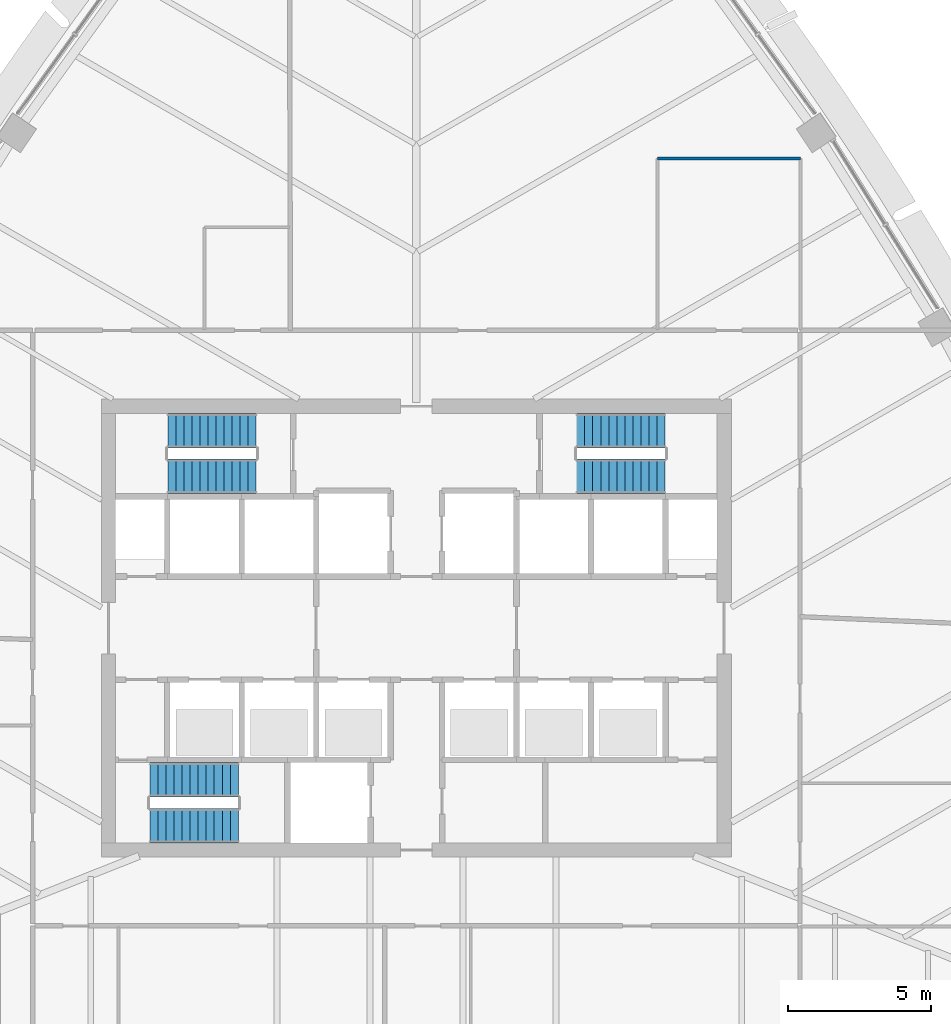
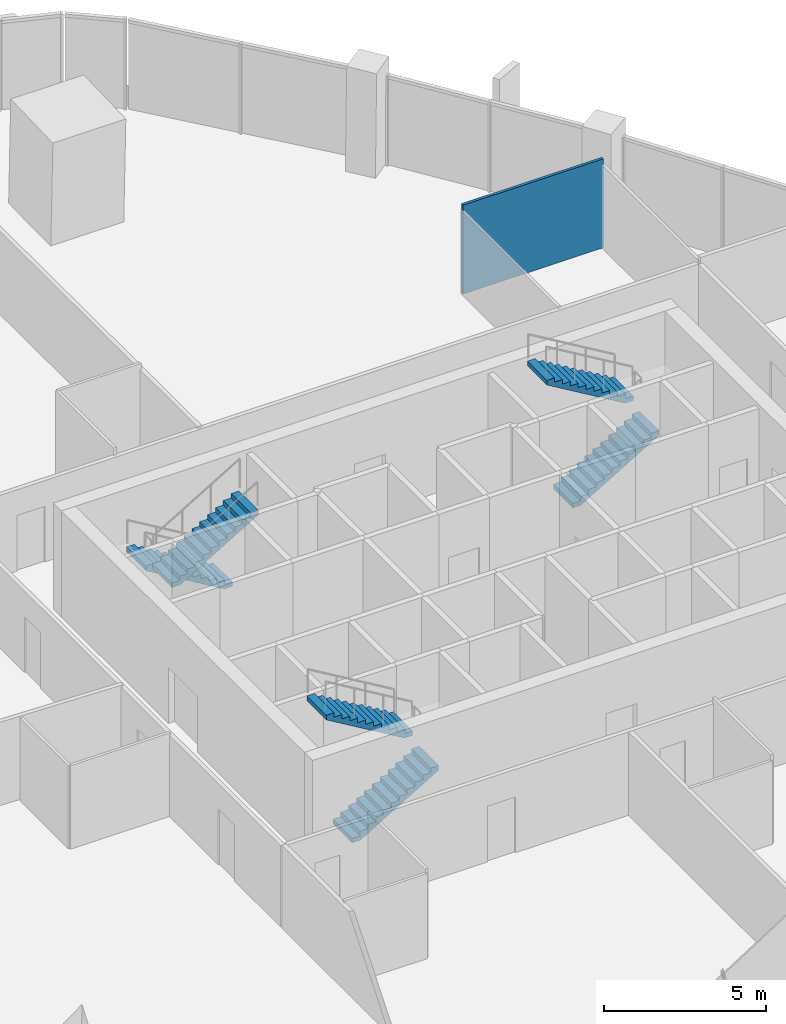
# One storey, part 12 of 19: 6 stair flights, 1 wall, 3 elements without a shape of their own.
"""IFC4 building model written with IfcOpenShell, lengths in metres."""

from ifc_helpers import new_model, si_unit, direction, frame, frame_2d, origin, place, context, subcontext, project, spatial, polyline, rectangle, outline, extrude, material, layer, layer_set, type_object, element, aggregate, save


model = new_model("IFC4")

# Units and contexts
model_context = context("Model", 3, precision=1e-05, world=origin(), true_north=direction((0.0, 1.0)))
body_context = subcontext(model_context, "Body", "Model", "MODEL_VIEW")
ifc_project = project(units=[si_unit("LENGTHUNIT", "METRE"), si_unit("AREAUNIT", "SQUARE_METRE"), si_unit("VOLUMEUNIT", "CUBIC_METRE"), si_unit("PLANEANGLEUNIT", "RADIAN"), si_unit("MASSUNIT", "GRAM", prefix="KILO")], contexts=[model_context])

# Site, building, storey
site_placement = place(None, origin())
site = spatial("IfcSite", under=ifc_project, at=site_placement, CompositionType="ELEMENT")
building_placement = place(site_placement, origin())
building = spatial("IfcBuilding", under=site, at=building_placement, Name="Sierra Prisma Convention Tower", CompositionType="ELEMENT")
storey_placement = place(building_placement, frame((0.0, 0.0, 209.800048828125)))
storey = spatial("IfcBuildingStorey", under=building, at=storey_placement, Name="L47", CompositionType="ELEMENT", Elevation=209.800048828125)

# Wall
ifc_material_1 = material(Name="Gypsum board partition", Category="gypsum")
ifc_layer = layer(ifc_material_1, 0.10009765625)
ifc_layer_set = layer_set([ifc_layer], Name="Bathroom partition 100")
wall_type = type_object("IfcWallType", Name="Bathroom partition 100", PredefinedType="PARTITIONING", material=ifc_layer_set)
wall_placement = place(storey_placement, frame((8.419921875, 16.39990234375, 0.0), z_axis=(0.0, 0.0, 1.0), x_axis=(1.0, 0.0, 0.0)))
element("IfcWall", 1, at=wall_placement, inside=storey, type_object=wall_type, Name="Partition L47 bath 10", PredefinedType="PARTITIONING", context=body_context, shape_type="SweptSolid", body=[
    extrude(rectangle(XDim=5.0, YDim=0.10009765625, at=frame_2d((2.5, 0.0))), origin(), (0.0, 0.0, 1.0), 3.349853515625),
])

# Stair, stair flights
ifc_material_2 = material(Name="Concrete C30/37", Category="concrete")
stair_type = type_object("IfcStairType", Name="Stair dog-leg 1200 RC", PredefinedType="HALF_TURN_STAIR", material=ifc_material_2)
stair_1_placement = place(storey_placement, origin())
stair_1 = element("IfcStair", 2, at=stair_1_placement, inside=storey, type_object=stair_type, Name="L47 S1", PredefinedType="HALF_TURN_STAIR")
ifc_material_3 = material(Name="Concrete C30/37", Category="concrete")
stair_flight_type = type_object("IfcStairFlightType", Name="Stair flight RC 1200", PredefinedType="STRAIGHT", material=ifc_material_3)
stair_flight_1_placement = place(storey_placement, frame((-9.300048828125, -6.89990234375, 0.0), z_axis=(0.0, 0.0, 1.0), x_axis=(1.0, 0.0, 0.0)))
stair_flight_1 = element("IfcStairFlight", 3, at=stair_flight_1_placement, type_object=stair_flight_type, Name="S1 flight 1", NumberOfRisers=12, NumberOfTreads=11, PredefinedType="STRAIGHT", RiserHeight=0.166666667, TreadLength=0.28, context=body_context, shape_type="SweptSolid", body=[
    extrude(outline(polyline([(0.0, 0.0), (0.0, 0.166748046875), (0.280029296875, 0.166748046875), (0.280029296875, 0.333251953125), (0.56005859375, 0.333251953125), (0.56005859375, 0.5), (0.840087890625, 0.5), (0.840087890625, 0.666748046875), (1.1201171875, 0.666748046875), (1.1201171875, 0.833251953125), (1.39990234375, 0.833251953125), (1.39990234375, 1.0), (1.679931640625, 1.0), (1.679931640625, 1.166748046875), (1.9599609375, 1.166748046875), (1.9599609375, 1.333251953125), (2.239990234375, 1.333251953125), (2.239990234375, 1.5), (2.52001953125, 1.5), (2.52001953125, 1.666748046875), (2.800048828125, 1.666748046875), (2.800048828125, 1.833251953125), (3.080078125, 1.833251953125), (3.080078125, 2.0), (3.080078125, 1.658935546875), (0.29296875, 0.0), (0.0, 0.0)])), frame((0.0, 0.60009765625, 0.0), z_axis=(0.0, -1.0, 0.0), x_axis=(1.0, 0.0, 0.0)), (0.0, 0.0, 1.0), 1.199951171875),
])
stair_flight_2_placement = place(storey_placement, frame((-6.219970703125, -5.300048828125, 2.0), z_axis=(0.0, 0.0, 1.0), x_axis=(-1.0, 0.0, 0.0)))
stair_flight_2 = element("IfcStairFlight", 4, at=stair_flight_2_placement, type_object=stair_flight_type, Name="S1 flight 2", NumberOfRisers=12, NumberOfTreads=11, PredefinedType="STRAIGHT", RiserHeight=0.166666667, TreadLength=0.28, context=body_context, shape_type="SweptSolid", body=[
    extrude(outline(polyline([(0.0, 0.0), (0.0, 0.166748046875), (0.280029296875, 0.166748046875), (0.280029296875, 0.333251953125), (0.56005859375, 0.333251953125), (0.56005859375, 0.5), (0.840087890625, 0.5), (0.840087890625, 0.666748046875), (1.1201171875, 0.666748046875), (1.1201171875, 0.833251953125), (1.39990234375, 0.833251953125), (1.39990234375, 1.0), (1.679931640625, 1.0), (1.679931640625, 1.166748046875), (1.9599609375, 1.166748046875), (1.9599609375, 1.333251953125), (2.239990234375, 1.333251953125), (2.239990234375, 1.5), (2.52001953125, 1.5), (2.52001953125, 1.666748046875), (2.800048828125, 1.666748046875), (2.800048828125, 1.833251953125), (3.080078125, 1.833251953125), (3.080078125, 2.0), (3.080078125, 1.658935546875), (0.29296875, 0.0), (0.0, 0.0)])), frame((0.0, 0.60009765625, 0.0), z_axis=(0.0, -1.0, 0.0), x_axis=(1.0, 0.0, 0.0)), (0.0, 0.0, 1.0), 1.199951171875),
])
aggregate(stair_1, [stair_flight_1, stair_flight_2])

stair_2_placement = place(storey_placement, origin())
stair_2 = element("IfcStair", 5, at=stair_2_placement, inside=storey, type_object=stair_type, Name="L47 S3", PredefinedType="HALF_TURN_STAIR")
stair_flight_3_placement = place(storey_placement, frame((-5.60009765625, 6.89990234375, 0.0), z_axis=(0.0, 0.0, 1.0), x_axis=(-1.0, 0.0, 0.0)))
stair_flight_3 = element("IfcStairFlight", 6, at=stair_flight_3_placement, type_object=stair_flight_type, Name="S3 flight 1", NumberOfRisers=12, NumberOfTreads=11, PredefinedType="STRAIGHT", RiserHeight=0.166666667, TreadLength=0.28, context=body_context, shape_type="SweptSolid", body=[
    extrude(outline(polyline([(0.0, 0.0), (0.0, 0.166748046875), (0.280029296875, 0.166748046875), (0.280029296875, 0.333251953125), (0.56005859375, 0.333251953125), (0.56005859375, 0.5), (0.840087890625, 0.5), (0.840087890625, 0.666748046875), (1.1201171875, 0.666748046875), (1.1201171875, 0.833251953125), (1.39990234375, 0.833251953125), (1.39990234375, 1.0), (1.679931640625, 1.0), (1.679931640625, 1.166748046875), (1.9599609375, 1.166748046875), (1.9599609375, 1.333251953125), (2.239990234375, 1.333251953125), (2.239990234375, 1.5), (2.52001953125, 1.5), (2.52001953125, 1.666748046875), (2.800048828125, 1.666748046875), (2.800048828125, 1.833251953125), (3.080078125, 1.833251953125), (3.080078125, 2.0), (3.080078125, 1.658935546875), (0.29296875, 0.0), (0.0, 0.0)])), frame((0.0, 0.60009765625, 0.0), z_axis=(0.0, -1.0, 0.0), x_axis=(1.0, 0.0, 0.0)), (0.0, 0.0, 1.0), 1.199951171875),
])
stair_flight_4_placement = place(storey_placement, frame((-8.679931640625, 5.300048828125, 2.0), z_axis=(0.0, 0.0, 1.0), x_axis=(1.0, 0.0, 0.0)))
stair_flight_4 = element("IfcStairFlight", 7, at=stair_flight_4_placement, type_object=stair_flight_type, Name="S3 flight 2", NumberOfRisers=12, NumberOfTreads=11, PredefinedType="STRAIGHT", RiserHeight=0.166666667, TreadLength=0.28, context=body_context, shape_type="SweptSolid", body=[
    extrude(outline(polyline([(0.0, 0.0), (0.0, 0.166748046875), (0.280029296875, 0.166748046875), (0.280029296875, 0.333251953125), (0.56005859375, 0.333251953125), (0.56005859375, 0.5), (0.840087890625, 0.5), (0.840087890625, 0.666748046875), (1.1201171875, 0.666748046875), (1.1201171875, 0.833251953125), (1.39990234375, 0.833251953125), (1.39990234375, 1.0), (1.679931640625, 1.0), (1.679931640625, 1.166748046875), (1.9599609375, 1.166748046875), (1.9599609375, 1.333251953125), (2.239990234375, 1.333251953125), (2.239990234375, 1.5), (2.52001953125, 1.5), (2.52001953125, 1.666748046875), (2.800048828125, 1.666748046875), (2.800048828125, 1.833251953125), (3.080078125, 1.833251953125), (3.080078125, 2.0), (3.080078125, 1.658935546875), (0.29296875, 0.0), (0.0, 0.0)])), frame((0.0, 0.60009765625, 0.0), z_axis=(0.0, -1.0, 0.0), x_axis=(1.0, 0.0, 0.0)), (0.0, 0.0, 1.0), 1.199951171875),
])
aggregate(stair_2, [stair_flight_3, stair_flight_4])

stair_3_placement = place(storey_placement, origin())
stair_3 = element("IfcStair", 8, at=stair_3_placement, inside=storey, type_object=stair_type, Name="L47 S4", PredefinedType="HALF_TURN_STAIR")
stair_flight_5_placement = place(storey_placement, frame((5.60009765625, 5.300048828125, 0.0), z_axis=(0.0, 0.0, 1.0), x_axis=(1.0, 0.0, 0.0)))
stair_flight_5 = element("IfcStairFlight", 9, at=stair_flight_5_placement, type_object=stair_flight_type, Name="S4 flight 1", NumberOfRisers=12, NumberOfTreads=11, PredefinedType="STRAIGHT", RiserHeight=0.166666667, TreadLength=0.28, context=body_context, shape_type="SweptSolid", body=[
    extrude(outline(polyline([(0.0, 0.0), (0.0, 0.166748046875), (0.280029296875, 0.166748046875), (0.280029296875, 0.333251953125), (0.56005859375, 0.333251953125), (0.56005859375, 0.5), (0.840087890625, 0.5), (0.840087890625, 0.666748046875), (1.1201171875, 0.666748046875), (1.1201171875, 0.833251953125), (1.39990234375, 0.833251953125), (1.39990234375, 1.0), (1.679931640625, 1.0), (1.679931640625, 1.166748046875), (1.9599609375, 1.166748046875), (1.9599609375, 1.333251953125), (2.239990234375, 1.333251953125), (2.239990234375, 1.5), (2.52001953125, 1.5), (2.52001953125, 1.666748046875), (2.800048828125, 1.666748046875), (2.800048828125, 1.833251953125), (3.080078125, 1.833251953125), (3.080078125, 2.0), (3.080078125, 1.658935546875), (0.29296875, 0.0), (0.0, 0.0)])), frame((0.0, 0.60009765625, 0.0), z_axis=(0.0, -1.0, 0.0), x_axis=(1.0, 0.0, 0.0)), (0.0, 0.0, 1.0), 1.199951171875),
])
stair_flight_6_placement = place(storey_placement, frame((8.679931640625, 6.89990234375, 2.0), z_axis=(0.0, 0.0, 1.0), x_axis=(-1.0, 0.0, 0.0)))
stair_flight_6 = element("IfcStairFlight", 10, at=stair_flight_6_placement, type_object=stair_flight_type, Name="S4 flight 2", NumberOfRisers=12, NumberOfTreads=11, PredefinedType="STRAIGHT", RiserHeight=0.166666667, TreadLength=0.28, context=body_context, shape_type="SweptSolid", body=[
    extrude(outline(polyline([(0.0, 0.0), (0.0, 0.166748046875), (0.280029296875, 0.166748046875), (0.280029296875, 0.333251953125), (0.56005859375, 0.333251953125), (0.56005859375, 0.5), (0.840087890625, 0.5), (0.840087890625, 0.666748046875), (1.1201171875, 0.666748046875), (1.1201171875, 0.833251953125), (1.39990234375, 0.833251953125), (1.39990234375, 1.0), (1.679931640625, 1.0), (1.679931640625, 1.166748046875), (1.9599609375, 1.166748046875), (1.9599609375, 1.333251953125), (2.239990234375, 1.333251953125), (2.239990234375, 1.5), (2.52001953125, 1.5), (2.52001953125, 1.666748046875), (2.800048828125, 1.666748046875), (2.800048828125, 1.833251953125), (3.080078125, 1.833251953125), (3.080078125, 2.0), (3.080078125, 1.658935546875), (0.29296875, 0.0), (0.0, 0.0)])), frame((0.0, 0.60009765625, 0.0), z_axis=(0.0, -1.0, 0.0), x_axis=(1.0, 0.0, 0.0)), (0.0, 0.0, 1.0), 1.199951171875),
])
aggregate(stair_3, [stair_flight_5, stair_flight_6])

save(model, "model.ifc")
